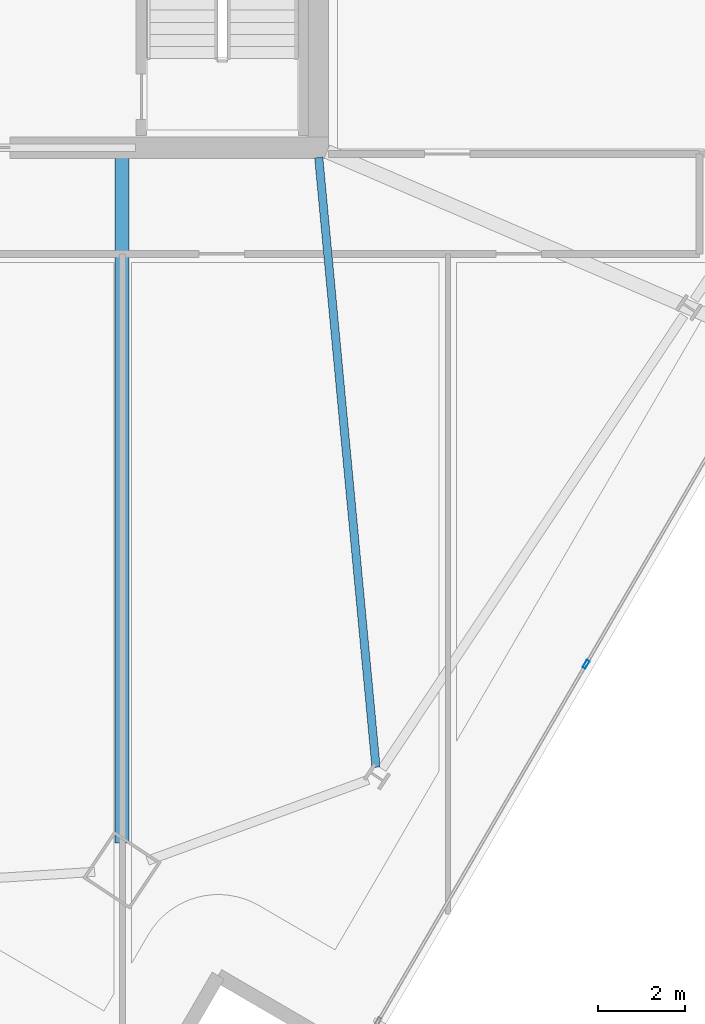
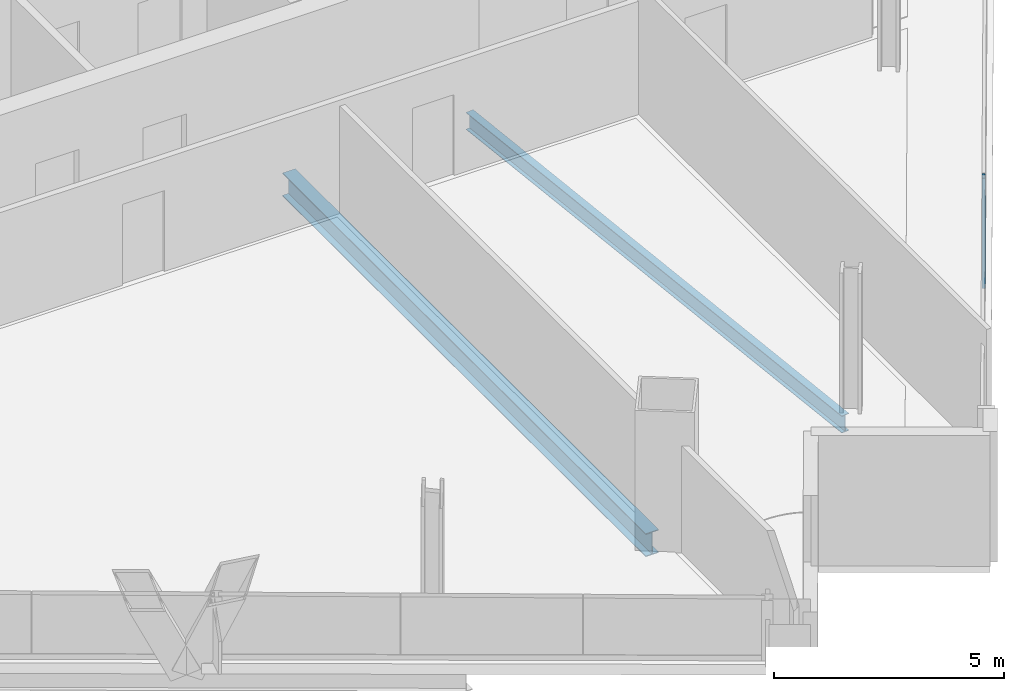
# One storey, part 8 of 29: 2 beams, 1 member, 1 element without a shape of its own.
"""IFC4 building model written with IfcOpenShell, lengths in metres."""

from ifc_helpers import new_model, si_unit, direction, frame, origin, origin_2d, place, context, subcontext, project, spatial, hollow_rectangle, i_section, extrude, material, material_profile, profile_set, type_object, element, aggregate, save


model = new_model("IFC4")

# Units and contexts
model_context = context("Model", 3, precision=1e-05, world=origin(), true_north=direction((0.0, 1.0)))
body_context = subcontext(model_context, "Body", "Model", "MODEL_VIEW")
ifc_project = project(units=[si_unit("LENGTHUNIT", "METRE"), si_unit("AREAUNIT", "SQUARE_METRE"), si_unit("VOLUMEUNIT", "CUBIC_METRE"), si_unit("PLANEANGLEUNIT", "RADIAN"), si_unit("MASSUNIT", "GRAM", prefix="KILO")], contexts=[model_context])

# Site, building, storey
site_placement = place(None, origin())
site = spatial("IfcSite", under=ifc_project, at=site_placement, CompositionType="ELEMENT")
building_placement = place(site_placement, origin())
building = spatial("IfcBuilding", under=site, at=building_placement, Name="Haldenkirk Collegiate Tower", CompositionType="ELEMENT")
storey_placement = place(building_placement, frame((0.0, 0.0, 228.449951171875)))
storey = spatial("IfcBuildingStorey", under=building, at=storey_placement, Name="L57", CompositionType="ELEMENT", Elevation=228.449951171875)

# Beams
ifc_material_1 = material(Name="Steel ASTM A992 Grade 50", Category="steel")
ifc_material_profile_1 = material_profile(ifc_material_1, i_section(OverallWidth=0.324951171875, OverallDepth=0.615966796875, WebThickness=0.013916015625, FlangeThickness=0.021484375, at=origin_2d()), Name="W24X117")
ifc_profile_set_1 = profile_set([ifc_material_profile_1], Name="Steel ASTM A992 Grade 50")
beam_type_1 = type_object("IfcBeamType", Name="BM-GIRDER-W24X117", PredefinedType="BEAM", material=ifc_profile_set_1)
beam_1_placement = place(storey_placement, frame((40.482666015625, 1.962890625, -0.587890625), z_axis=(0.0, 1.0, 0.0), x_axis=(-1.0, 0.0, 0.0)))
element("IfcBeam", 1, at=beam_1_placement, inside=storey, type_object=beam_type_1, Name="L57 primary floor girder 01", PredefinedType="BEAM", context=body_context, shape_type="SweptSolid", body=[
    extrude(i_section(OverallWidth=0.324951171875, OverallDepth=0.615966796875, WebThickness=0.013916015625, FlangeThickness=0.021484375, at=origin_2d()), origin(), (0.0, 0.0, 1.0), 15.80712890625),
])
ifc_material_profile_2 = material_profile(ifc_material_1, i_section(OverallWidth=0.18994140625, OverallDepth=0.45703125, WebThickness=0.009033203125, FlangeThickness=0.014404296875, at=origin_2d()), Name="W18X50")
ifc_profile_set_2 = profile_set([ifc_material_profile_2], Name="Steel ASTM A992 Grade 50")
beam_type_2 = type_object("IfcBeamType", Name="BM-JOIST-W18X50", PredefinedType="JOIST", material=ifc_profile_set_2)
beam_2_placement = place(storey_placement, frame((46.3427734375, 3.705810546875, -0.508544921875), z_axis=(-0.093528614258, 0.995616592025, 0.0), x_axis=(-0.995616592025, -0.093528614258, 0.0)))
element("IfcBeam", 2, at=beam_2_placement, inside=storey, type_object=beam_type_2, Name="L57 composite floor joist 05", PredefinedType="JOIST", context=body_context, shape_type="SweptSolid", body=[
    extrude(i_section(OverallWidth=0.18994140625, OverallDepth=0.45703125, WebThickness=0.009033203125, FlangeThickness=0.014404296875, at=origin_2d()), origin(), (0.0, 0.0, 1.0), 14.127197265625),
])

# Curtain wall, member
ifc_material_2 = material(Name="Anodised architectural bronze aluminium", Category="aluminium")
curtain_wall_type = type_object("IfcCurtainWallType", Name="CW-SYS2-CONCAVE", PredefinedType="USERDEFINED", material=ifc_material_2)
curtain_wall_placement = place(storey_placement, origin())
curtain_wall = element("IfcCurtainWall", 3, at=curtain_wall_placement, inside=storey, type_object=curtain_wall_type, Name="L57 South concave recessed bronze-anodised curtain wall", ObjectType="UNITISED CURTAIN WALL", PredefinedType="USERDEFINED")
ifc_material_profile_3 = material_profile(ifc_material_2, hollow_rectangle(XDim=0.074951171875, YDim=0.18994140625, WallThickness=0.0048828125, at=origin_2d()), Name="CW-MUL-02")
ifc_profile_set_3 = profile_set([ifc_material_profile_3], Name="Anodised architectural bronze aluminium")
member_type = type_object("IfcMemberType", Name="CW-MUL-02", PredefinedType="MULLION", material=ifc_profile_set_3)
member_placement = place(storey_placement, frame((51.187255859375, 6.08203125, 0.0), z_axis=(0.0, 0.0, 1.0), x_axis=(0.864275549506, -0.503018662205, 0.0)))
member = element("IfcMember", 4, at=member_placement, type_object=member_type, Name="CW-02 mullion 4", PredefinedType="MULLION", context=body_context, shape_type="SweptSolid", body=[
    extrude(hollow_rectangle(XDim=0.074951171875, YDim=0.18994140625, WallThickness=0.0048828125, at=origin_2d()), origin(), (0.0, 0.0, 1.0), 2.927978515625),
])
aggregate(curtain_wall, [member])

save(model, "model.ifc")
